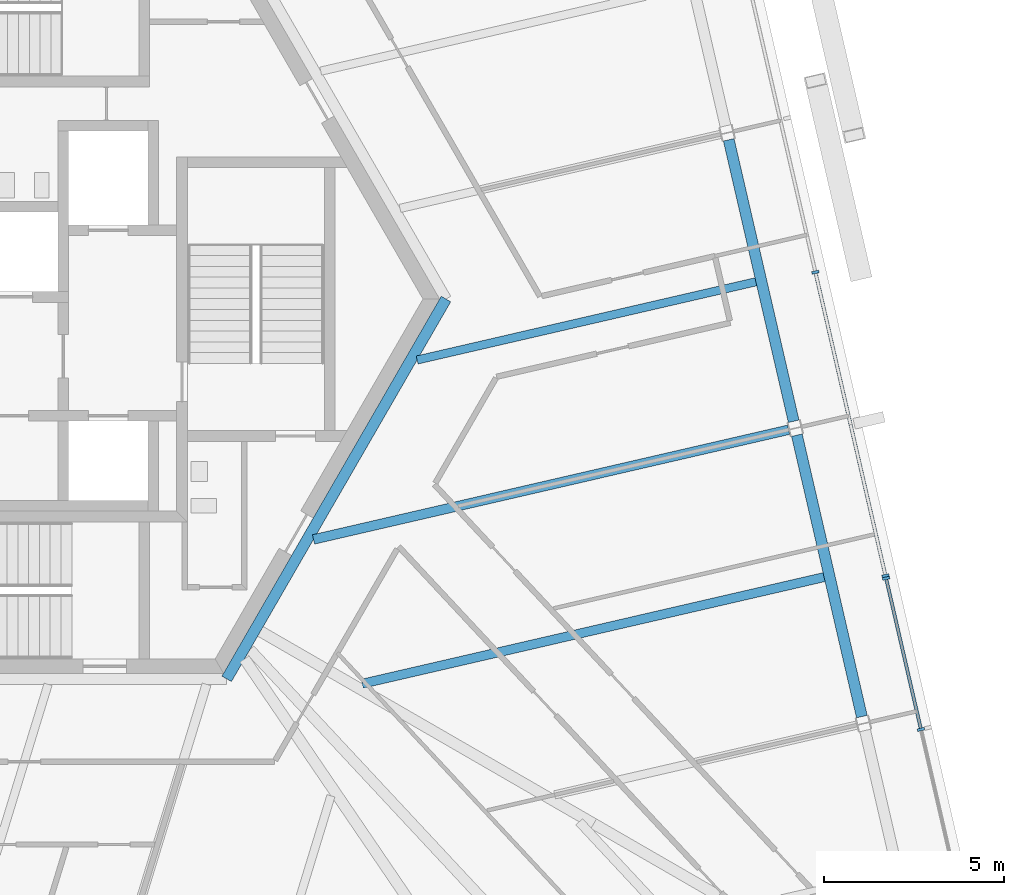
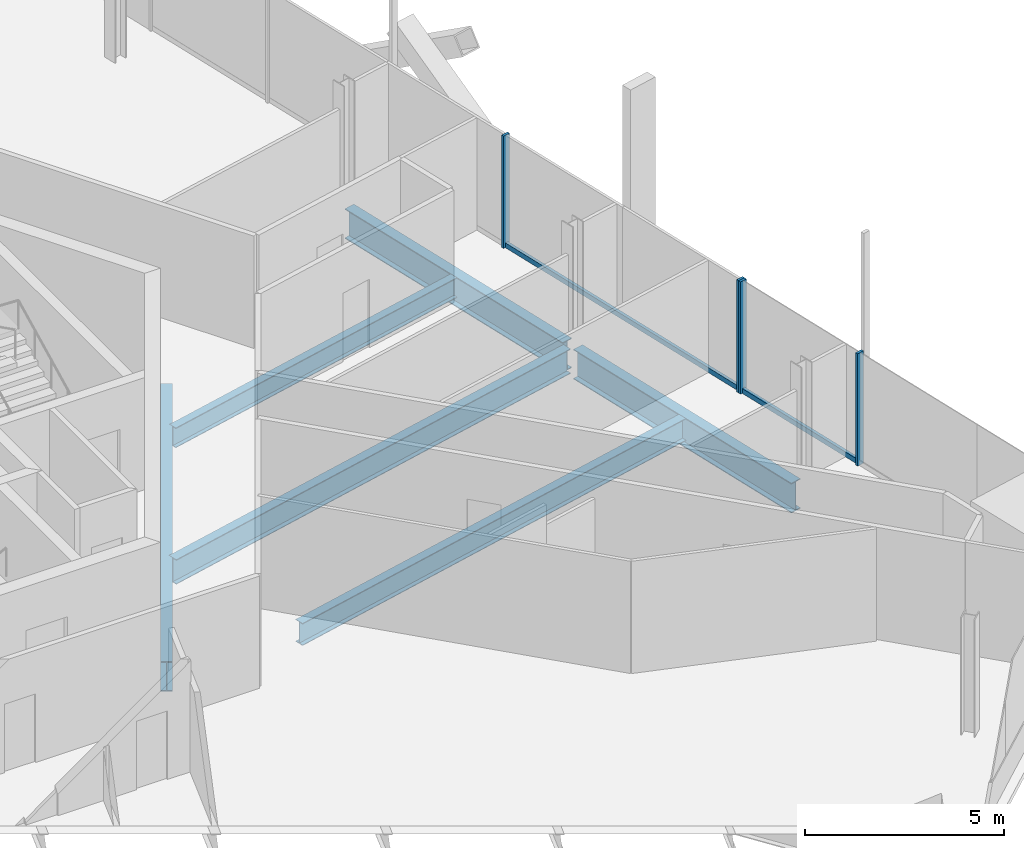
# One storey, part 7 of 24: 6 beams, 6 members, 2 elements without a shape of their own.
"""IFC4 building model written with IfcOpenShell, lengths in metres."""

from ifc_helpers import new_model, si_unit, direction, frame, origin, origin_2d, place, context, subcontext, project, spatial, rectangle, i_section, extrude, source, transform, mapped, material, material_profile, profile_set, type_object, element, aggregate, save


model = new_model("IFC4")

# Units and contexts
model_context = context("Model", 3, precision=1e-05, world=origin(), true_north=direction((0.0, 1.0)))
body_context = subcontext(model_context, "Body", "Model", "MODEL_VIEW")
ifc_project = project(units=[si_unit("LENGTHUNIT", "METRE"), si_unit("AREAUNIT", "SQUARE_METRE"), si_unit("VOLUMEUNIT", "CUBIC_METRE"), si_unit("PLANEANGLEUNIT", "RADIAN"), si_unit("MASSUNIT", "GRAM", prefix="KILO")], contexts=[model_context])

# Site, building, storey
site_placement = place(None, origin())
site = spatial("IfcSite", under=ifc_project, at=site_placement, CompositionType="ELEMENT")
building_placement = place(site_placement, origin())
building = spatial("IfcBuilding", under=site, at=building_placement, Name="Triune Harvest Tower", CompositionType="ELEMENT")
storey_placement = place(building_placement, frame((0.0, 0.0, 112.699951171875)))
storey = spatial("IfcBuildingStorey", under=building, at=storey_placement, Name="L28", CompositionType="ELEMENT", Elevation=112.699951171875)

# Beams
ifc_material_1 = material(Name="Steel ASTM A992 Gr 50", Category="steel")
ifc_material_profile_1 = material_profile(ifc_material_1, i_section(OverallWidth=0.3046875, OverallDepth=0.914306640625, WebThickness=0.0166015625, FlangeThickness=0.02587890625, at=origin_2d()), Name="W36x160")
ifc_profile_set_1 = profile_set([ifc_material_profile_1], Name="Steel ASTM A992 Gr 50")
beam_type_1 = type_object("IfcBeamType", Name="CG-1 Core ring girder W36x160", PredefinedType="BEAM", material=ifc_profile_set_1)
shared_shape_1 = source(origin(), body_context, "Body", "SweptSolid", [
    extrude(i_section(OverallWidth=0.3046875, OverallDepth=0.914306640625, WebThickness=0.0166015625, FlangeThickness=0.02587890625, at=origin_2d()), origin(), (0.0, 0.0, 1.0), 12.176025390625),
])
beam_1_placement = place(storey_placement, frame((6.087890625, -10.544677734375, -0.6171875), z_axis=(0.5000099932, 0.866019634131, 0.0), x_axis=(-0.866019634131, 0.5000099932, 0.0)))
element("IfcBeam", 1, at=beam_1_placement, inside=storey, type_object=beam_type_1, Name="beam/L28/CG6", PredefinedType="BEAM", context=body_context, shape_type="MappedRepresentation", body=[
    mapped(shared_shape_1, transform((0.0, 0.0, 0.0), scale=1.0)),
])
ifc_material_2 = material(Name="Steel ASTM A992 Gr 50", Category="steel")
ifc_material_profile_2 = material_profile(ifc_material_2, i_section(OverallWidth=0.3046875, OverallDepth=0.914306640625, WebThickness=0.0166015625, FlangeThickness=0.02587890625, at=origin_2d()), Name="W36x160")
ifc_profile_set_2 = profile_set([ifc_material_profile_2], Name="Steel ASTM A992 Gr 50")
beam_type_2 = type_object("IfcBeamType", Name="SB-1 Spandrel beam W36x160", PredefinedType="SPANDREL", material=ifc_profile_set_2)
shared_shape_2 = source(origin(), body_context, "Body", "SweptSolid", [
    extrude(i_section(OverallWidth=0.3046875, OverallDepth=0.914306640625, WebThickness=0.0166015625, FlangeThickness=0.02587890625, at=origin_2d()), origin(), (0.0, 0.0, 1.0), 8.018310546875),
])
beam_2_placement = place(storey_placement, frame((23.72119140625, -11.591796875, -0.6171875), z_axis=(-0.224950679005, 0.974370151439, 0.0), x_axis=(-0.974370151439, -0.224950679005, 0.0)))
element("IfcBeam", 2, at=beam_2_placement, inside=storey, type_object=beam_type_2, Name="beam/L28/SB2", PredefinedType="SPANDREL", context=body_context, shape_type="MappedRepresentation", body=[
    mapped(shared_shape_2, transform((0.0, 0.0, 0.0), scale=1.0)),
])
shared_shape_3 = source(origin(), body_context, "Body", "SweptSolid", [
    extrude(i_section(OverallWidth=0.3046875, OverallDepth=0.914306640625, WebThickness=0.0166015625, FlangeThickness=0.02587890625, at=origin_2d()), origin(), (0.0, 0.0, 1.0), 8.0185546875),
])
beam_3_placement = place(storey_placement, frame((21.828369140625, -3.39306640625, -0.6171875), z_axis=(-0.22494400542, 0.974371692131, 0.0), x_axis=(-0.974371692131, -0.22494400542, 0.0)))
element("IfcBeam", 3, at=beam_3_placement, inside=storey, type_object=beam_type_2, Name="beam/L28/SB3", PredefinedType="SPANDREL", context=body_context, shape_type="MappedRepresentation", body=[
    mapped(shared_shape_3, transform((0.0, 0.0, 0.0), scale=1.0)),
])
ifc_material_3 = material(Name="Steel ASTM A992 Gr 50", Category="steel")
ifc_material_profile_3 = material_profile(ifc_material_3, i_section(OverallWidth=0.253662109375, OverallDepth=0.683349609375, WebThickness=0.012451171875, FlangeThickness=0.01904296875, at=origin_2d()), Name="W27x94")
ifc_profile_set_3 = profile_set([ifc_material_profile_3], Name="Steel ASTM A992 Gr 50")
beam_type_3 = type_object("IfcBeamType", Name="JT-4 Floor joist W27x94", PredefinedType="JOIST", material=ifc_profile_set_3)
shared_shape_4 = source(origin(), body_context, "Body", "SweptSolid", [
    extrude(i_section(OverallWidth=0.253662109375, OverallDepth=0.683349609375, WebThickness=0.012451171875, FlangeThickness=0.01904296875, at=origin_2d()), origin(), (0.0, 0.0, 1.0), 13.1572265625),
])
beam_4_placement = place(storey_placement, frame((22.6708984375, -7.7197265625, -0.50146484375), z_axis=(-0.974370551145, -0.224948947678, 0.0), x_axis=(0.224948947678, -0.974370551145, 0.0)))
element("IfcBeam", 4, at=beam_4_placement, inside=storey, type_object=beam_type_3, Name="beam/L28/JT3", PredefinedType="JOIST", context=body_context, shape_type="MappedRepresentation", body=[
    mapped(shared_shape_4, transform((0.0, 0.0, 0.0), scale=1.0)),
])
ifc_material_4 = material(Name="Steel ASTM A992 Gr 50", Category="steel")
ifc_material_profile_4 = material_profile(ifc_material_4, i_section(OverallWidth=0.2666015625, OverallDepth=0.7568359375, WebThickness=0.013916015625, FlangeThickness=0.019287109375, at=origin_2d()), Name="W30x108")
ifc_profile_set_4 = profile_set([ifc_material_profile_4], Name="Steel ASTM A992 Gr 50")
beam_type_4 = type_object("IfcBeamType", Name="JT-5 Floor joist W30x108", PredefinedType="JOIST", material=ifc_profile_set_4)
shared_shape_5 = source(origin(), body_context, "Body", "SweptSolid", [
    extrude(i_section(OverallWidth=0.2666015625, OverallDepth=0.7568359375, WebThickness=0.013916015625, FlangeThickness=0.019287109375, at=origin_2d()), origin(), (0.0, 0.0, 1.0), 13.535400390625),
])
beam_5_placement = place(storey_placement, frame((21.687255859375, -3.62890625, -0.538330078125), z_axis=(-0.974372040253, -0.224942497482, 0.0), x_axis=(0.224942497482, -0.974372040253, 0.0)))
element("IfcBeam", 5, at=beam_5_placement, inside=storey, type_object=beam_type_4, Name="beam/L28/JT4", PredefinedType="JOIST", context=body_context, shape_type="MappedRepresentation", body=[
    mapped(shared_shape_5, transform((0.0, 0.0, 0.0), scale=1.0)),
])
ifc_material_5 = material(Name="Steel ASTM A992 Gr 50", Category="steel")
ifc_material_profile_5 = material_profile(ifc_material_5, i_section(OverallWidth=0.22900390625, OverallDepth=0.612060546875, WebThickness=0.011962890625, FlangeThickness=0.01953125, at=origin_2d()), Name="W24x84")
ifc_profile_set_5 = profile_set([ifc_material_profile_5], Name="Steel ASTM A992 Gr 50")
beam_type_5 = type_object("IfcBeamType", Name="JT-3 Floor joist W24x84", PredefinedType="JOIST", material=ifc_profile_set_5)
shared_shape_6 = source(origin(), body_context, "Body", "SweptSolid", [
    extrude(i_section(OverallWidth=0.22900390625, OverallDepth=0.612060546875, WebThickness=0.011962890625, FlangeThickness=0.01953125, at=origin_2d()), origin(), (0.0, 0.0, 1.0), 9.650146484375),
])
beam_6_placement = place(storey_placement, frame((20.778076171875, 0.47900390625, -0.466064453125), z_axis=(-0.974373710713, -0.224935261514, 0.0), x_axis=(0.224935261514, -0.974373710713, 0.0)))
element("IfcBeam", 6, at=beam_6_placement, inside=storey, type_object=beam_type_5, Name="beam/L28/JT5", PredefinedType="JOIST", context=body_context, shape_type="MappedRepresentation", body=[
    mapped(shared_shape_6, transform((0.0, 0.0, 0.0), scale=1.0)),
])

# Curtain wall, members
ifc_material_6 = material(Name="Aluminium bronze anodised", Category="aluminium")
curtain_wall_type_1 = type_object("IfcCurtainWallType", Name="CW-6 Balcony window wall", PredefinedType="NOTDEFINED", material=ifc_material_6)
curtain_wall_1_placement = place(storey_placement, origin())
curtain_wall_1 = element("IfcCurtainWall", 7, at=curtain_wall_1_placement, inside=storey, type_object=curtain_wall_type_1, Name="CW-6 B3-F1 L28 run 1")
ifc_material_7 = material(Name="Aluminium bronze anodised", Category="aluminium")
ifc_material_profile_6 = material_profile(ifc_material_7, rectangle(XDim=0.199951171875, YDim=0.074951171875, at=origin_2d()), Name="MU-6 mullion 75 x 200")
ifc_profile_set_6 = profile_set([ifc_material_profile_6], Name="Aluminium bronze anodised")
member_type_1 = type_object("IfcMemberType", Name="MU-6 mullion 75 x 200", PredefinedType="MULLION", material=ifc_profile_set_6)
shared_shape_7 = source(origin(), body_context, "Body", "SweptSolid", [
    extrude(rectangle(XDim=0.199951171875, YDim=0.074951171875, at=origin_2d()), origin(), (0.0, 0.0, 1.0), 3.43994140625),
])
member_1_placement = place(storey_placement, frame((25.36181640625, -11.947021484375, 0.0), z_axis=(0.0, 0.0, 1.0), x_axis=(-0.974370377501, -0.224949699818, 0.0)))
member_1 = element("IfcMember", 8, at=member_1_placement, type_object=member_type_1, Name="CW-6 mullion B3-F1 1.3", PredefinedType="MULLION", context=body_context, shape_type="MappedRepresentation", body=[
    mapped(shared_shape_7, transform((0.0, 0.0, 0.0), scale=1.0)),
])
member_2_placement = place(storey_placement, frame((24.3935546875, -7.752685546875, 0.0), z_axis=(0.0, 0.0, 1.0), x_axis=(-0.974370377501, -0.224949699818, 0.0)))
member_2 = element("IfcMember", 9, at=member_2_placement, type_object=member_type_1, Name="CW-6 mullion B3-F1 1.4", PredefinedType="MULLION", context=body_context, shape_type="MappedRepresentation", body=[
    mapped(shared_shape_7, transform((0.0, 0.0, 0.0), scale=1.0)),
])

ifc_material_8 = material(Name="Aluminium bronze anodised", Category="aluminium")
curtain_wall_type_2 = type_object("IfcCurtainWallType", Name="CW-10 Balcony window wall with insulated spandrel infill", PredefinedType="NOTDEFINED", material=ifc_material_8)
curtain_wall_2_placement = place(storey_placement, origin())
curtain_wall_2 = element("IfcCurtainWall", 10, at=curtain_wall_2_placement, inside=storey, type_object=curtain_wall_type_2, Name="CW-10 B3-F1 L28 run 1001")
member_3_placement = place(storey_placement, frame((24.37646484375, -7.6796875, 0.0), z_axis=(0.0, 0.0, 1.0), x_axis=(-0.97436981712, -0.224952127097, 0.0)))
member_3 = element("IfcMember", 11, at=member_3_placement, type_object=member_type_1, Name="CW-10 mullion B3-F1 1001.1", PredefinedType="MULLION", context=body_context, shape_type="MappedRepresentation", body=[
    mapped(shared_shape_7, transform((0.0, 0.0, 0.0), scale=1.0)),
])
member_4_placement = place(storey_placement, frame((22.431396484375, 0.745361328125, 0.0), z_axis=(0.0, 0.0, 1.0), x_axis=(-0.97436981712, -0.224952127097, 0.0)))
member_4 = element("IfcMember", 12, at=member_4_placement, type_object=member_type_1, Name="CW-10 mullion B3-F1 1001.3", PredefinedType="MULLION", context=body_context, shape_type="MappedRepresentation", body=[
    mapped(shared_shape_7, transform((0.0, 0.0, 0.0), scale=1.0)),
])
ifc_material_9 = material(Name="Aluminium bronze anodised", Category="aluminium")
ifc_material_profile_7 = material_profile(ifc_material_9, rectangle(XDim=0.090087890625, YDim=0.14990234375, at=origin_2d()), Name="TR-6 transom 90 x 150")
ifc_profile_set_7 = profile_set([ifc_material_profile_7], Name="Aluminium bronze anodised")
member_type_2 = type_object("IfcMemberType", Name="TR-6 transom 90 x 150", PredefinedType="USERDEFINED", material=ifc_profile_set_7)
shared_shape_8 = source(origin(), body_context, "Body", "SweptSolid", [
    extrude(rectangle(XDim=0.090087890625, YDim=0.14990234375, at=origin_2d()), origin(), (0.0, 0.0, 1.0), 8.57177734375),
])
member_5_placement = place(storey_placement, frame((24.3681640625, -7.64306640625, 0.074951171875), z_axis=(-0.224951032214, 0.974370069894, 0.0), x_axis=(-0.974370069894, -0.224951032214, 0.0)))
member_5 = element("IfcMember", 13, at=member_5_placement, type_object=member_type_2, Name="CW-10 transom B3-F1 1001.1", ObjectType="TRANSOM", PredefinedType="USERDEFINED", context=body_context, shape_type="MappedRepresentation", body=[
    mapped(shared_shape_8, transform((0.0, 0.0, 0.0), scale=1.0)),
])
aggregate(curtain_wall_2, [member_3, member_4, member_5])

# Member
shared_shape_9 = source(origin(), body_context, "Body", "SweptSolid", [
    extrude(rectangle(XDim=0.090087890625, YDim=0.14990234375, at=origin_2d()), origin(), (0.0, 0.0, 1.0), 4.2294921875),
])
member_6_placement = place(storey_placement, frame((25.353271484375, -11.910400390625, 0.074951171875), z_axis=(-0.224948036582, 0.974370761485, 0.0), x_axis=(-0.974370761485, -0.224948036582, 0.0)))
member_6 = element("IfcMember", 14, at=member_6_placement, type_object=member_type_2, Name="CW-6 transom B3-F1 1.2", ObjectType="TRANSOM", PredefinedType="USERDEFINED", context=body_context, shape_type="MappedRepresentation", body=[
    mapped(shared_shape_9, transform((0.0, 0.0, 0.0), scale=1.0)),
])

aggregate(curtain_wall_1, [member_1, member_2, member_6])

save(model, "model.ifc")
